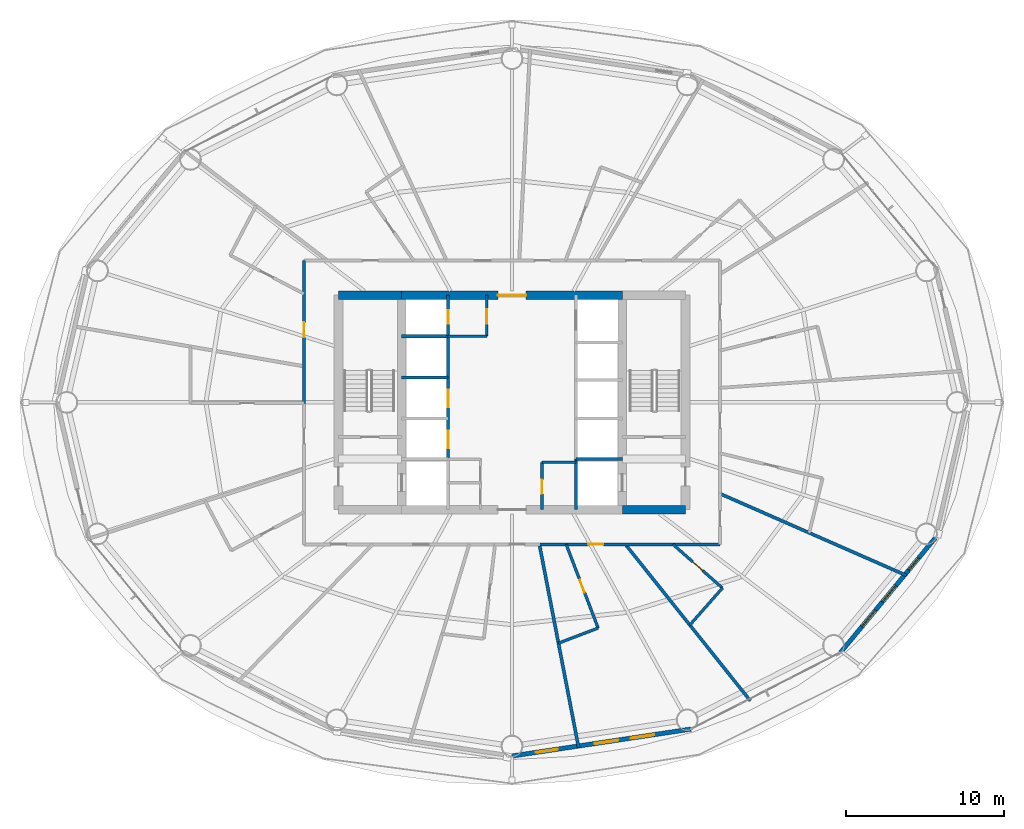
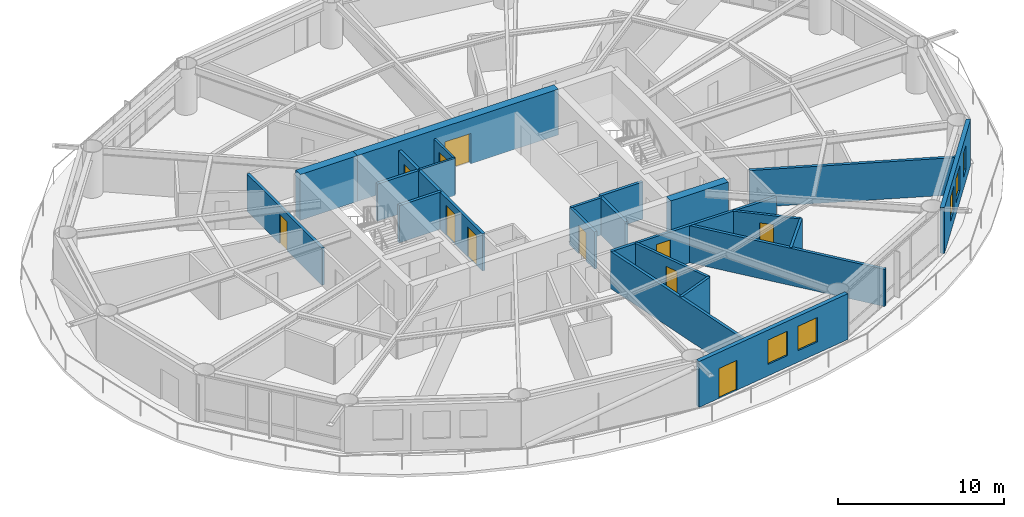
# One storey, part 19 of 24: 24 walls, 11 doors, 5 windows, 16 openings.
"""IFC4 building model written with IfcOpenShell, lengths in metres."""

import ifcopenshell
import ifcopenshell.guid

model = None  # the IFC model being written
_history = None  # IfcOwnerHistory: only IFC2X3 demands one
_inside = {}  # id of a spatial element -> (the spatial element, [elements in it])
_under = {}  # id of a project, library or spatial element -> (it, [spatial elements below it])
_declared = {}  # id of a project -> (the project, [libraries it declares])
_typed = {}  # id of a type object -> (the type object, [elements of that type])
_made_of = {}  # id of a material, layer set ... -> (it, [elements and type objects made of it])


def new_model(schema):
    """Start an empty IFC model of exactly this schema.

    Asked for "IFC4X3", IfcOpenShell would pick the latest addendum, in which some entities
    have other attributes; the version numbers below select the first issue.
    IFC2X3 requires an IfcOwnerHistory on every rooted entity: one is made here for all.
    """
    global model, _history
    if schema == "IFC4X3":
        model = ifcopenshell.file(schema_version=(4, 3, 0, 0))
    else:
        model = ifcopenshell.file(schema=schema)
    _inside.clear()
    _under.clear()
    _declared.clear()
    _typed.clear()
    _made_of.clear()
    _history = None
    if model.schema == "IFC2X3":
        org = make("IfcOrganization", Name="unknown")
        user = make(
            "IfcPersonAndOrganization",
            ThePerson=make("IfcPerson", FamilyName="unknown"),
            TheOrganization=org,
        )
        app = make(
            "IfcApplication",
            ApplicationDeveloper=org,
            Version="unknown",
            ApplicationFullName="unknown",
            ApplicationIdentifier="unknown",
        )
        _history = make(
            "IfcOwnerHistory",
            OwningUser=user,
            OwningApplication=app,
            ChangeAction="ADDED",
            CreationDate=0,
        )
    return model


def make(cls, **values):
    """One entity of the class cls with the attributes given. An attribute that is None is left unset."""
    return model.create_entity(
        cls, **{name: value for name, value in values.items() if value is not None}
    )


def rooted(cls, **values):
    """An entity with a GlobalId (a new one), such as an element, a storey or a relation."""
    return make(cls, GlobalId=ifcopenshell.guid.new(), OwnerHistory=_history, **values)


def si_unit(unit_type, name, prefix=None):
    """IfcSIUnit, for example si_unit("LENGTHUNIT", "METRE", prefix="MILLI")."""
    return make("IfcSIUnit", UnitType=unit_type, Prefix=prefix, Name=name)


def assignment(units):
    """IfcUnitAssignment: the units of a project."""
    return None if units is None else make("IfcUnitAssignment", Units=units)


def point(xyz):
    """IfcCartesianPoint."""
    return None if xyz is None else make("IfcCartesianPoint", Coordinates=xyz)


def direction(xyz):
    """IfcDirection."""
    return None if xyz is None else make("IfcDirection", DirectionRatios=xyz)


def frame(location, z_axis=None, x_axis=None):
    """IfcAxis2Placement3D, a coordinate frame: its origin and axes. An axis left out is left unset."""
    return make(
        "IfcAxis2Placement3D",
        Location=point(location),
        Axis=direction(z_axis),
        RefDirection=direction(x_axis),
    )


def frame_2d(location, x_axis=None):
    """IfcAxis2Placement2D, a coordinate frame in the plane: its origin and x axis."""
    return make(
        "IfcAxis2Placement2D", Location=point(location), RefDirection=direction(x_axis)
    )


def origin():
    """The frame at (0, 0, 0) with its axes left unset."""
    return frame((0.0, 0.0, 0.0))


def place(relative_to, where):
    """IfcLocalPlacement: puts the frame where relative to a parent placement (None: the world)."""
    return make(
        "IfcLocalPlacement", PlacementRelTo=relative_to, RelativePlacement=where
    )


def context(
    kind, dimensions, precision=None, world=None, true_north=None, identifier=None
):
    """IfcGeometricRepresentationContext, for example the 3D "Model" context."""
    return make(
        "IfcGeometricRepresentationContext",
        ContextIdentifier=identifier,
        ContextType=kind,
        CoordinateSpaceDimension=dimensions,
        Precision=precision,
        WorldCoordinateSystem=world,
        TrueNorth=true_north,
    )


def subcontext(parent, identifier, kind, view, scale=None):
    """IfcGeometricRepresentationSubContext, for example "Body" below "Model"."""
    return make(
        "IfcGeometricRepresentationSubContext",
        ContextIdentifier=identifier,
        ContextType=kind,
        ParentContext=parent,
        TargetScale=scale,
        TargetView=view,
    )


def project(units=None, contexts=None):
    """IfcProject with its units and contexts."""
    return rooted(
        "IfcProject",
        Name="project",
        RepresentationContexts=contexts,
        UnitsInContext=assignment(units),
    )


def spatial(cls, under=None, at=None, **own):
    """A site, building, storey or space (cls), placed at a placement, below another one or the project."""
    s = rooted(cls, ObjectPlacement=at, **own)
    if under is not None:
        _under.setdefault(under.id(), (under, []))[1].append(s)
    return s


def profile(cls, at=None, kind="AREA", **sizes):
    """A parametric profile (cls). Its sizes go by their IFC names, for example OverallWidth=200.0."""
    return make(cls, ProfileType=kind, Position=at, **sizes)


def rectangle(**sizes):
    """IfcRectangleProfileDef."""
    return profile("IfcRectangleProfileDef", **sizes)


def extrude(swept, where, along, depth):
    """IfcExtrudedAreaSolid: the profile swept, set in the frame where, extruded along a direction by depth."""
    return make(
        "IfcExtrudedAreaSolid",
        SweptArea=swept,
        Position=where,
        ExtrudedDirection=direction(along),
        Depth=depth,
    )


def shape(context_of_items, identifier, shape_type, items):
    """IfcShapeRepresentation: the items that make up one representation, for example the "Body"."""
    return make(
        "IfcShapeRepresentation",
        ContextOfItems=context_of_items,
        RepresentationIdentifier=identifier,
        RepresentationType=shape_type,
        Items=items,
    )


def material(Name=None, Category=None):
    """IfcMaterial."""
    return make("IfcMaterial", Name=Name, Category=Category)


def layer(
    of_material, thickness, ventilated=None, Name=None, Category=None, Priority=None
):
    """IfcMaterialLayer: one layer of a wall or slab, of a material (None: an air gap)."""
    return make(
        "IfcMaterialLayer",
        Material=of_material,
        LayerThickness=thickness,
        IsVentilated=ventilated,
        Name=Name,
        Category=Category,
        Priority=Priority,
    )


def layer_set(layers, Name=None):
    """IfcMaterialLayerSet."""
    return make("IfcMaterialLayerSet", MaterialLayers=layers, LayerSetName=Name)


def made_of(thing, what):
    """Note that an element or type object is made of a material, layer set ...; save() writes the relation."""
    if what is not None:
        _made_of.setdefault(what.id(), (what, []))[1].append(thing)
    return thing


def type_object(cls, material=None, **own):
    """A type object (cls), such as IfcWallType, which elements share."""
    return made_of(rooted(cls, **own), material)


def element(
    cls,
    number,
    at=None,
    inside=None,
    cuts=None,
    type_object=None,
    material=None,
    context=None,
    identifier="Body",
    shape_type=None,
    held_by="IfcProductDefinitionShape",
    body=None,
    shapes=None,
    **own,
):
    """One element of the class cls, such as IfcWall. Its Tag is "e" and its number.

    at: its placement. inside: the storey or other place that contains it. cuts: it is an
    opening in that element (IfcRelVoidsElement). A single representation is given by context,
    identifier, shape_type and body (its items); several are given by shapes. held_by: the class
    of the entity that holds the representations. save() writes the other relations.
    """
    e = rooted(cls, Tag="e%d" % number, ObjectPlacement=at, **own)
    if body is not None:
        shapes = [shape(context, identifier, shape_type, body)]
    if shapes is not None:
        e.Representation = make(held_by, Representations=shapes)
    if inside is not None:
        _inside.setdefault(inside.id(), (inside, []))[1].append(e)
    if cuts is not None:
        rooted(
            "IfcRelVoidsElement", RelatingBuildingElement=cuts, RelatedOpeningElement=e
        )
    if type_object is not None:
        _typed.setdefault(type_object.id(), (type_object, []))[1].append(e)
    return made_of(e, material)


def fill(opening, filler):
    """IfcRelFillsElement: the door or window that sits in an opening."""
    return rooted(
        "IfcRelFillsElement",
        RelatingOpeningElement=opening,
        RelatedBuildingElement=filler,
    )


def aggregate(whole, parts):
    """IfcRelAggregates: a whole, such as a stair, and the parts it consists of."""
    return rooted("IfcRelAggregates", RelatingObject=whole, RelatedObjects=parts)


def save(model, path):
    """Write the relations noted so far, then the file.

    IfcRelAggregates (storeys below a building ...), IfcRelContainedInSpatialStructure (elements
    in a storey), IfcRelDefinesByType, IfcRelAssociatesMaterial and IfcRelDeclares: one each for
    every whole, place, type object, material and project.
    """
    for whole, parts in _under.values():
        aggregate(whole, parts)
    for where, things in _inside.values():
        rooted(
            "IfcRelContainedInSpatialStructure",
            RelatedElements=things,
            RelatingStructure=where,
        )
    for kind, things in _typed.values():
        rooted("IfcRelDefinesByType", RelatedObjects=things, RelatingType=kind)
    for what, things in _made_of.values():
        rooted("IfcRelAssociatesMaterial", RelatedObjects=things, RelatingMaterial=what)
    for by, libraries in _declared.values():
        rooted("IfcRelDeclares", RelatingContext=by, RelatedDefinitions=libraries)
    model.write(path)


model = new_model("IFC4")

# Units and contexts
model_context = context("Model", 3, precision=1e-05, world=origin(), true_north=direction((0.0, 1.0)))
body_context = subcontext(model_context, "Body", "Model", "MODEL_VIEW")
ifc_project = project(units=[si_unit("LENGTHUNIT", "METRE"), si_unit("AREAUNIT", "SQUARE_METRE"), si_unit("VOLUMEUNIT", "CUBIC_METRE"), si_unit("PLANEANGLEUNIT", "RADIAN"), si_unit("MASSUNIT", "GRAM", prefix="KILO")], contexts=[model_context])

# Site, building, storey
site_placement = place(None, origin())
site = spatial("IfcSite", under=ifc_project, at=site_placement, CompositionType="ELEMENT")
building_placement = place(site_placement, origin())
building = spatial("IfcBuilding", under=site, at=building_placement, Name="Sarneth Arch Tower", CompositionType="ELEMENT")
storey_placement = place(building_placement, frame((0.0, 0.0, 91.199951171875)))
storey = spatial("IfcBuildingStorey", under=building, at=storey_placement, Name="L22", CompositionType="ELEMENT", Elevation=91.199951171875)

# Walls
ifc_material_1 = material(Name="Concrete C60/75", Category="concrete")
ifc_layer_1 = layer(ifc_material_1, 0.550048828125)
ifc_layer_set_1 = layer_set([ifc_layer_1], Name="Concrete C60/75")
wall_type_1 = type_object("IfcWallType", Name="WALL-CORE-550", PredefinedType="SHEAR", material=ifc_layer_set_1)
for number, where, z_axis, x_axis, name in (
    (1, (55.0, 35.199951171875, 0.0), (0.0, 0.0, 1.0), (1.0, 0.0, 0.0), "L22 Core shear wall S-E"),
    (2, (37.0, 48.800048828125, 0.0), (0.0, 0.0, 1.0), (1.0, 0.0, 0.0), "L22 Core shear wall N-W"),
):
    element("IfcWall", number, at=place(storey_placement, frame(where, z_axis=z_axis, x_axis=x_axis)), inside=storey, type_object=wall_type_1, Name=name, PredefinedType="SHEAR", context=body_context, shape_type="SweptSolid", body=[
        extrude(rectangle(XDim=4.0, YDim=0.550048828125, at=frame_2d((2.0, 0.0))), origin(), (0.0, 0.0, 1.0), 3.380126953125),
    ])

# Wall, opening, door
wall_1_placement = place(storey_placement, frame((41.0, 48.800048828125, 0.0), z_axis=(0.0, 0.0, 1.0), x_axis=(1.0, 0.0, 0.0)))
wall_1 = element("IfcWall", 3, at=wall_1_placement, inside=storey, type_object=wall_type_1, Name="L22 Core shear wall N-M", PredefinedType="SHEAR", context=body_context, shape_type="SweptSolid", body=[
    extrude(rectangle(XDim=14.0, YDim=0.550048828125, at=frame_2d((7.0, 0.0))), origin(), (0.0, 0.0, 1.0), 3.380126953125),
])
opening_1_placement = place(wall_1_placement, frame((6.10009765625, 0.0, 0.0)))
opening_1 = element("IfcOpeningElement", 4, at=opening_1_placement, cuts=wall_1, Name="Opening FD-01", PredefinedType="OPENING", context=body_context, shape_type="SweptSolid", body=[
    extrude(rectangle(XDim=1.800048828125, YDim=2.25, at=frame_2d((0.89990234375, 1.125))), frame((0.0, 0.284912109375, 0.0), z_axis=(0.0, -1.0, 0.0), x_axis=(1.0, 0.0, 0.0)), (0.0, 0.0, 1.0), 0.570068359375),
])
ifc_material_2 = material(Name="Galvanised Steel S275 fire door set", Category="steel")
door_type_1 = type_object("IfcDoorType", Name="DR-FD90-1800", OperationType="DOUBLE_DOOR_SINGLE_SWING", PredefinedType="DOOR", material=ifc_material_2)
door_1_placement = place(opening_1_placement, origin())
door_1 = element("IfcDoor", 5, at=door_1_placement, inside=storey, type_object=door_type_1, Name="L22 Central lift lobby north door", OperationType="DOUBLE_DOOR_SINGLE_SWING", OverallHeight=2.25, OverallWidth=1.800048828125, PredefinedType="DOOR", context=body_context, shape_type="SweptSolid", body=[
    extrude(rectangle(XDim=1.800048828125, YDim=2.25, at=frame_2d((0.89990234375, 1.125))), frame((0.0, 0.02490234375, 0.0), z_axis=(0.0, -1.0, 0.0), x_axis=(1.0, 0.0, 0.0)), (0.0, 0.0, 1.0), 0.050048828125),
])
fill(opening_1, door_1)

ifc_material_3 = material(Name="Double steel-stud corridor fire wall", Category="steel")
ifc_layer_2 = layer(ifc_material_3, 0.18994140625)
ifc_layer_set_2 = layer_set([ifc_layer_2], Name="Double steel-stud corridor fire wall")
wall_type_2 = type_object("IfcWallType", Name="WALL-CORR-190", PredefinedType="PARTITIONING", material=ifc_layer_set_2)
wall_2_placement = place(storey_placement, frame((34.800048828125, 41.939697265625, 0.0), z_axis=(0.0, 0.0, 1.0), x_axis=(0.0, 1.0, 0.0)))
wall_2 = element("IfcWall", 6, at=wall_2_placement, inside=storey, type_object=wall_type_2, Name="L22 Interior partition W-L22-TP-011", PredefinedType="PARTITIONING", context=body_context, shape_type="SweptSolid", body=[
    extrude(rectangle(XDim=9.060302734375, YDim=0.18994140625, at=frame_2d((4.5302734375, 0.0))), origin(), (0.0, 0.0, 1.0), 2.739990234375),
])
opening_2_placement = place(wall_2_placement, frame((4.1787109375, 0.0, 0.0)))
opening_2 = element("IfcOpeningElement", 7, at=opening_2_placement, cuts=wall_2, Name="Opening FD-09", PredefinedType="OPENING", context=body_context, shape_type="SweptSolid", body=[
    extrude(rectangle(XDim=0.949951171875, YDim=2.14990234375, at=frame_2d((0.47509765625, 1.074951171875))), frame((0.0, 0.10498046875, 0.0), z_axis=(0.0, -1.0, 0.0), x_axis=(1.0, 0.0, 0.0)), (0.0, 0.0, 1.0), 0.2099609375),
])
ifc_material_4 = material(Name="Hardwood timber hotel entrance fire door", Category="wood")
door_type_2 = type_object("IfcDoorType", Name="DR-FD60-950", OperationType="SINGLE_SWING_RIGHT", PredefinedType="DOOR", material=ifc_material_4)
door_2_placement = place(opening_2_placement, origin())
door_2 = element("IfcDoor", 8, at=door_2_placement, inside=storey, type_object=door_type_2, Name="L22 Interior door DR-L22-KEY-06", OperationType="SINGLE_SWING_LEFT", OverallHeight=2.14990234375, OverallWidth=0.949951171875, PredefinedType="DOOR", context=body_context, shape_type="SweptSolid", body=[
    extrude(rectangle(XDim=0.949951171875, YDim=2.14990234375, at=frame_2d((0.47509765625, 1.074951171875))), frame((0.0, 0.02490234375, 0.0), z_axis=(0.0, -1.0, 0.0), x_axis=(1.0, 0.0, 0.0)), (0.0, 0.0, 1.0), 0.050048828125),
])
fill(opening_2, door_2)

wall_3_placement = place(storey_placement, frame((61.199951171875, 33.0, 0.0), z_axis=(0.0, 0.0, 1.0), x_axis=(-1.0, 0.0, 0.0)))
wall_3 = element("IfcWall", 9, at=wall_3_placement, inside=storey, type_object=wall_type_2, Name="L22 Interior partition W-L22-TP-022", PredefinedType="PARTITIONING", context=body_context, shape_type="SweptSolid", body=[
    extrude(rectangle(XDim=11.49560546875, YDim=0.18994140625, at=frame_2d((5.747802734375, 0.0))), origin(), (0.0, 0.0, 1.0), 2.739990234375),
])
opening_3_placement = place(wall_3_placement, frame((7.40966796875, 0.0, 0.0)))
opening_3 = element("IfcOpeningElement", 10, at=opening_3_placement, cuts=wall_3, Name="Opening FD-09", PredefinedType="OPENING", context=body_context, shape_type="SweptSolid", body=[
    extrude(rectangle(XDim=0.949951171875, YDim=2.14990234375, at=frame_2d((0.47509765625, 1.074951171875))), frame((0.0, 0.10498046875, 0.0), z_axis=(0.0, -1.0, 0.0), x_axis=(1.0, 0.0, 0.0)), (0.0, 0.0, 1.0), 0.2099609375),
])
door_3_placement = place(opening_3_placement, origin())
door_3 = element("IfcDoor", 11, at=door_3_placement, inside=storey, type_object=door_type_2, Name="L22 Interior door DR-L22-KEY-11", OperationType="SINGLE_SWING_RIGHT", OverallHeight=2.14990234375, OverallWidth=0.949951171875, PredefinedType="DOOR", context=body_context, shape_type="SweptSolid", body=[
    extrude(rectangle(XDim=0.949951171875, YDim=2.14990234375, at=frame_2d((0.47509765625, 1.074951171875))), frame((0.0, 0.02490234375, 0.0), z_axis=(0.0, -1.0, 0.0), x_axis=(1.0, 0.0, 0.0)), (0.0, 0.0, 1.0), 0.050048828125),
])
fill(opening_3, door_3)

# Wall, openings, door, windows
ifc_material_5 = material(Name="Extruded terracotta rainscreen on Concrete C40/50 backing", Category="masonry")
ifc_layer_3 = layer(ifc_material_5, 0.280029296875)
ifc_layer_set_3 = layer_set([ifc_layer_3], Name="Extruded terracotta rainscreen on Concrete C40/50 backing")
wall_type_3 = type_object("IfcWallType", Name="WALL-EXT-TERRA-280", PredefinedType="SOLIDWALL", material=ifc_layer_set_3)
wall_4_placement = place(storey_placement, frame((48.0, 19.570068359375, 0.0), z_axis=(0.0, 0.0, 1.0), x_axis=(0.988877774656, 0.148730450117, 0.0)))
wall_4 = element("IfcWall", 12, at=wall_4_placement, inside=storey, type_object=wall_type_3, Name="L22 Terracotta perimeter wall 13", PredefinedType="SOLIDWALL", context=body_context, shape_type="SweptSolid", body=[
    extrude(rectangle(XDim=11.47900390625, YDim=0.280029296875, at=frame_2d((5.739501953125, 0.0))), origin(), (0.0, 0.0, 1.0), 3.380126953125),
])
opening_4_placement = place(wall_4_placement, frame((1.523681640625, 0.0, 0.0)))
opening_4 = element("IfcOpeningElement", 13, at=opening_4_placement, cuts=wall_4, Name="Opening BD-2", PredefinedType="OPENING", context=body_context, shape_type="SweptSolid", body=[
    extrude(rectangle(XDim=1.39990234375, YDim=2.199951171875, at=frame_2d((0.699951171875, 1.10009765625))), frame((0.0, 0.14990234375, 0.0), z_axis=(0.0, -1.0, 0.0), x_axis=(1.0, 0.0, 0.0)), (0.0, 0.0, 1.0), 0.300048828125),
])
opening_5_placement = place(wall_4_placement, frame((5.31494140625, 0.0, 0.85009765625)))
opening_5 = element("IfcOpeningElement", 14, at=opening_5_placement, cuts=wall_4, Name="Opening W-07", PredefinedType="OPENING", context=body_context, shape_type="SweptSolid", body=[
    extrude(rectangle(XDim=1.5, YDim=1.800048828125, at=frame_2d((0.75, 0.89990234375))), frame((0.0, 0.14990234375, 0.0), z_axis=(0.0, -1.0, 0.0), x_axis=(1.0, 0.0, 0.0)), (0.0, 0.0, 1.0), 0.300048828125),
])
opening_6_placement = place(wall_4_placement, frame((7.62109375, 0.0, 0.85009765625)))
opening_6 = element("IfcOpeningElement", 15, at=opening_6_placement, cuts=wall_4, Name="Opening W-07", PredefinedType="OPENING", context=body_context, shape_type="SweptSolid", body=[
    extrude(rectangle(XDim=1.5, YDim=1.800048828125, at=frame_2d((0.75, 0.89990234375))), frame((0.0, 0.14990234375, 0.0), z_axis=(0.0, -1.0, 0.0), x_axis=(1.0, 0.0, 0.0)), (0.0, 0.0, 1.0), 0.300048828125),
])
ifc_material_6 = material(Name="Thermally broken Aluminium 6063-T6 and laminated safety glass", Category="aluminium")
door_type_3 = type_object("IfcDoorType", Name="DR-BALC-GLZ-1400", OperationType="SINGLE_SWING_LEFT", PredefinedType="DOOR", material=ifc_material_6)
door_4_placement = place(opening_4_placement, origin())
door_4 = element("IfcDoor", 16, at=door_4_placement, inside=storey, type_object=door_type_3, Name="L22 Balcony glazed door 13", OperationType="SINGLE_SWING_LEFT", OverallHeight=2.199951171875, OverallWidth=1.39990234375, PredefinedType="DOOR", context=body_context, shape_type="SweptSolid", body=[
    extrude(rectangle(XDim=1.39990234375, YDim=2.199951171875, at=frame_2d((0.699951171875, 1.10009765625))), frame((0.0, 0.02490234375, 0.0), z_axis=(0.0, -1.0, 0.0), x_axis=(1.0, 0.0, 0.0)), (0.0, 0.0, 1.0), 0.050048828125),
])
fill(opening_4, door_4)
ifc_material_7 = material(Name="Thermally broken Aluminium 6063-T6 and low-e laminated IGU", Category="aluminium")
window_type_1 = type_object("IfcWindowType", Name="WIN-TWR-1500x1800", PartitioningType="SINGLE_PANEL", PredefinedType="WINDOW", material=ifc_material_7)
window_1_placement = place(opening_5_placement, origin())
window_1 = element("IfcWindow", 17, at=window_1_placement, inside=storey, type_object=window_type_1, Name="L22 Exterior window 13A", OverallHeight=1.800048828125, OverallWidth=1.5, PartitioningType="SINGLE_PANEL", PredefinedType="WINDOW", context=body_context, shape_type="SweptSolid", body=[
    extrude(rectangle(XDim=1.5, YDim=1.800048828125, at=frame_2d((0.75, 0.89990234375))), frame((0.0, 0.030029296875, 0.0), z_axis=(0.0, -1.0, 0.0), x_axis=(1.0, 0.0, 0.0)), (0.0, 0.0, 1.0), 0.06005859375),
])
fill(opening_5, window_1)
window_2_placement = place(opening_6_placement, origin())
window_2 = element("IfcWindow", 18, at=window_2_placement, inside=storey, type_object=window_type_1, Name="L22 Exterior window 13B", OverallHeight=1.800048828125, OverallWidth=1.5, PartitioningType="SINGLE_PANEL", PredefinedType="WINDOW", context=body_context, shape_type="SweptSolid", body=[
    extrude(rectangle(XDim=1.5, YDim=1.800048828125, at=frame_2d((0.75, 0.89990234375))), frame((0.0, 0.030029296875, 0.0), z_axis=(0.0, -1.0, 0.0), x_axis=(1.0, 0.0, 0.0)), (0.0, 0.0, 1.0), 0.06005859375),
])
fill(opening_6, window_2)

# Wall, openings, windows
wall_5_placement = place(storey_placement, frame((68.840087890625, 26.1396484375, 0.0), z_axis=(0.0, 0.0, 1.0), x_axis=(0.637505817448, 0.770445541696, 0.0)))
wall_5 = element("IfcWall", 19, at=wall_5_placement, inside=storey, type_object=wall_type_3, Name="L22 Terracotta perimeter wall 15", PredefinedType="SOLIDWALL", context=body_context, shape_type="SweptSolid", body=[
    extrude(rectangle(XDim=9.445068359375, YDim=0.280029296875, at=frame_2d((4.72265625, 0.0))), origin(), (0.0, 0.0, 1.0), 3.380126953125),
])
opening_7_placement = place(wall_5_placement, frame((2.13330078125, 0.0, 0.85009765625)))
opening_7 = element("IfcOpeningElement", 20, at=opening_7_placement, cuts=wall_5, Name="Opening W-08", PredefinedType="OPENING", context=body_context, shape_type="SweptSolid", body=[
    extrude(rectangle(XDim=1.35009765625, YDim=1.800048828125, at=frame_2d((0.675048828125, 0.89990234375))), frame((0.0, 0.14990234375, 0.0), z_axis=(0.0, -1.0, 0.0), x_axis=(1.0, 0.0, 0.0)), (0.0, 0.0, 1.0), 0.300048828125),
])
opening_8_placement = place(wall_5_placement, frame((4.155517578125, 0.0, 0.85009765625)))
opening_8 = element("IfcOpeningElement", 21, at=opening_8_placement, cuts=wall_5, Name="Opening W-08", PredefinedType="OPENING", context=body_context, shape_type="SweptSolid", body=[
    extrude(rectangle(XDim=1.35009765625, YDim=1.800048828125, at=frame_2d((0.675048828125, 0.89990234375))), frame((0.0, 0.14990234375, 0.0), z_axis=(0.0, -1.0, 0.0), x_axis=(1.0, 0.0, 0.0)), (0.0, 0.0, 1.0), 0.300048828125),
])
opening_9_placement = place(wall_5_placement, frame((6.7724609375, 0.0, 0.85009765625)))
opening_9 = element("IfcOpeningElement", 22, at=opening_9_placement, cuts=wall_5, Name="Opening W-11", PredefinedType="OPENING", context=body_context, shape_type="SweptSolid", body=[
    extrude(rectangle(XDim=1.0, YDim=1.800048828125, at=frame_2d((0.5, 0.89990234375))), frame((0.0, 0.14990234375, 0.0), z_axis=(0.0, -1.0, 0.0), x_axis=(1.0, 0.0, 0.0)), (0.0, 0.0, 1.0), 0.300048828125),
])
ifc_material_8 = material(Name="Thermally broken Aluminium 6063-T6 and low-e laminated IGU", Category="aluminium")
window_type_2 = type_object("IfcWindowType", Name="WIN-TWR-1000x1800", PartitioningType="SINGLE_PANEL", PredefinedType="WINDOW", material=ifc_material_8)
window_3_placement = place(opening_9_placement, origin())
window_3 = element("IfcWindow", 23, at=window_3_placement, inside=storey, type_object=window_type_2, Name="L22 Exterior window 15C", OverallHeight=1.800048828125, OverallWidth=1.0, PartitioningType="SINGLE_PANEL", PredefinedType="WINDOW", context=body_context, shape_type="SweptSolid", body=[
    extrude(rectangle(XDim=1.0, YDim=1.800048828125, at=frame_2d((0.5, 0.89990234375))), frame((0.0, 0.030029296875, 0.0), z_axis=(0.0, -1.0, 0.0), x_axis=(1.0, 0.0, 0.0)), (0.0, 0.0, 1.0), 0.06005859375),
])
fill(opening_9, window_3)
ifc_material_9 = material(Name="Thermally broken Aluminium 6063-T6 and low-e laminated IGU", Category="aluminium")
window_type_3 = type_object("IfcWindowType", Name="WIN-TWR-1350x1800", PartitioningType="SINGLE_PANEL", PredefinedType="WINDOW", material=ifc_material_9)
window_4_placement = place(opening_7_placement, origin())
window_4 = element("IfcWindow", 24, at=window_4_placement, inside=storey, type_object=window_type_3, Name="L22 Exterior window 15A", OverallHeight=1.800048828125, OverallWidth=1.35009765625, PartitioningType="SINGLE_PANEL", PredefinedType="WINDOW", context=body_context, shape_type="SweptSolid", body=[
    extrude(rectangle(XDim=1.35009765625, YDim=1.800048828125, at=frame_2d((0.675048828125, 0.89990234375))), frame((0.0, 0.030029296875, 0.0), z_axis=(0.0, -1.0, 0.0), x_axis=(1.0, 0.0, 0.0)), (0.0, 0.0, 1.0), 0.06005859375),
])
fill(opening_7, window_4)
window_5_placement = place(opening_8_placement, origin())
window_5 = element("IfcWindow", 25, at=window_5_placement, inside=storey, type_object=window_type_3, Name="L22 Exterior window 15B", OverallHeight=1.800048828125, OverallWidth=1.35009765625, PartitioningType="SINGLE_PANEL", PredefinedType="WINDOW", context=body_context, shape_type="SweptSolid", body=[
    extrude(rectangle(XDim=1.35009765625, YDim=1.800048828125, at=frame_2d((0.675048828125, 0.89990234375))), frame((0.0, 0.030029296875, 0.0), z_axis=(0.0, -1.0, 0.0), x_axis=(1.0, 0.0, 0.0)), (0.0, 0.0, 1.0), 0.06005859375),
])
fill(opening_8, window_5)

# Wall
ifc_material_10 = material(Name="Acoustic gypsum stud partition", Category="gypsum")
ifc_layer_4 = layer(ifc_material_10, 0.14990234375)
ifc_layer_set_4 = layer_set([ifc_layer_4], Name="Acoustic gypsum stud partition")
wall_type_4 = type_object("IfcWallType", Name="WALL-PART-150", PredefinedType="PARTITIONING", material=ifc_layer_set_4)
wall_6_placement = place(storey_placement, frame((43.949951171875, 46.199951171875, 0.0), z_axis=(0.0, 0.0, 1.0), x_axis=(1.0, 0.0, 0.0)))
element("IfcWall", 26, at=wall_6_placement, inside=storey, type_object=wall_type_4, Name="L22 Interior partition W-L22-CSUP3-S", PredefinedType="PARTITIONING", context=body_context, shape_type="SweptSolid", body=[
    extrude(rectangle(XDim=2.449951171875, YDim=0.14990234375, at=frame_2d((1.22509765625, 0.0))), origin(), (0.0, 0.0, 1.0), 2.739990234375),
])

# Wall, opening, door
wall_7_placement = place(storey_placement, frame((46.39990234375, 46.199951171875, 0.0), z_axis=(0.0, 0.0, 1.0), x_axis=(0.0, 1.0, 0.0)))
wall_7 = element("IfcWall", 27, at=wall_7_placement, inside=storey, type_object=wall_type_4, Name="L22 Interior partition W-L22-CSUP3-E", PredefinedType="PARTITIONING", context=body_context, shape_type="SweptSolid", body=[
    extrude(rectangle(XDim=2.60009765625, YDim=0.14990234375, at=frame_2d((1.300048828125, 0.0))), origin(), (0.0, 0.0, 1.0), 2.739990234375),
])
opening_10_placement = place(wall_7_placement, frame((0.800048828125, 0.0, 0.0)))
opening_10 = element("IfcOpeningElement", 28, at=opening_10_placement, cuts=wall_7, Name="Opening FD-10", PredefinedType="OPENING", context=body_context, shape_type="SweptSolid", body=[
    extrude(rectangle(XDim=0.89990234375, YDim=2.14990234375, at=frame_2d((0.449951171875, 1.074951171875))), frame((0.0, 0.0849609375, 0.0), z_axis=(0.0, -1.0, 0.0), x_axis=(1.0, 0.0, 0.0)), (0.0, 0.0, 1.0), 0.169921875),
])
ifc_material_11 = material(Name="Galvanised Steel S275 riser/service fire door", Category="steel")
door_type_4 = type_object("IfcDoorType", Name="DR-FD60-900", OperationType="SINGLE_SWING_LEFT", PredefinedType="DOOR", material=ifc_material_11)
door_5_placement = place(opening_10_placement, origin())
door_5 = element("IfcDoor", 29, at=door_5_placement, inside=storey, type_object=door_type_4, Name="L22 Interior door DR-L22-CSUP3", OperationType="SINGLE_SWING_LEFT", OverallHeight=2.14990234375, OverallWidth=0.89990234375, PredefinedType="DOOR", context=body_context, shape_type="SweptSolid", body=[
    extrude(rectangle(XDim=0.89990234375, YDim=2.14990234375, at=frame_2d((0.449951171875, 1.074951171875))), frame((0.0, 0.02490234375, 0.0), z_axis=(0.0, -1.0, 0.0), x_axis=(1.0, 0.0, 0.0)), (0.0, 0.0, 1.0), 0.050048828125),
])
fill(opening_10, door_5)

# Wall
ifc_material_12 = material(Name="Moisture-resistant plumbing chase wall", Category="gypsum")
ifc_layer_5 = layer(ifc_material_12, 0.179931640625)
ifc_layer_set_5 = layer_set([ifc_layer_5], Name="Moisture-resistant plumbing chase wall")
wall_type_5 = type_object("IfcWallType", Name="WALL-PLUMB-180", PredefinedType="PLUMBINGWALL", material=ifc_layer_set_5)
wall_8_placement = place(storey_placement, frame((49.89990234375, 38.199951171875, 0.0), z_axis=(0.0, 0.0, 1.0), x_axis=(1.0, 0.0, 0.0)))
element("IfcWall", 30, at=wall_8_placement, inside=storey, type_object=wall_type_5, Name="L22 Interior partition W-L22-AWC-N", PredefinedType="PLUMBINGWALL", context=body_context, shape_type="SweptSolid", body=[
    extrude(rectangle(XDim=2.150146484375, YDim=0.179931640625, at=frame_2d((1.0751953125, 0.0))), origin(), (0.0, 0.0, 1.0), 2.739990234375),
])

# Wall, opening, door
wall_9_placement = place(storey_placement, frame((49.89990234375, 35.199951171875, 0.0), z_axis=(0.0, 0.0, 1.0), x_axis=(0.0, 1.0, 0.0)))
wall_9 = element("IfcWall", 31, at=wall_9_placement, inside=storey, type_object=wall_type_5, Name="L22 Interior partition W-L22-AWC-W", PredefinedType="PLUMBINGWALL", context=body_context, shape_type="SweptSolid", body=[
    extrude(rectangle(XDim=3.0, YDim=0.179931640625, at=frame_2d((1.5, 0.0))), origin(), (0.0, 0.0, 1.0), 2.739990234375),
])
opening_11_placement = place(wall_9_placement, frame((1.0, 0.0, 0.0)))
opening_11 = element("IfcOpeningElement", 32, at=opening_11_placement, cuts=wall_9, Name="Opening ID-01", PredefinedType="OPENING", context=body_context, shape_type="SweptSolid", body=[
    extrude(rectangle(XDim=0.89990234375, YDim=2.10009765625, at=frame_2d((0.449951171875, 1.050048828125))), frame((0.0, 0.099853515625, 0.0), z_axis=(0.0, -1.0, 0.0), x_axis=(1.0, 0.0, 0.0)), (0.0, 0.0, 1.0), 0.199951171875),
])
ifc_material_13 = material(Name="Engineered hardwood flush door", Category="wood")
door_type_5 = type_object("IfcDoorType", Name="DR-INT-900", OperationType="SINGLE_SWING_LEFT", PredefinedType="DOOR", material=ifc_material_13)
door_6_placement = place(opening_11_placement, origin())
door_6 = element("IfcDoor", 33, at=door_6_placement, inside=storey, type_object=door_type_5, Name="L22 Interior door DR-L22-AWC", OperationType="SINGLE_SWING_RIGHT", OverallHeight=2.10009765625, OverallWidth=0.89990234375, PredefinedType="DOOR", context=body_context, shape_type="SweptSolid", body=[
    extrude(rectangle(XDim=0.89990234375, YDim=2.10009765625, at=frame_2d((0.449951171875, 1.050048828125))), frame((0.0, 0.02490234375, 0.0), z_axis=(0.0, -1.0, 0.0), x_axis=(1.0, 0.0, 0.0)), (0.0, 0.0, 1.0), 0.050048828125),
])
fill(opening_11, door_6)

wall_10_placement = place(storey_placement, frame((53.462890625, 27.68798828125, 0.0), z_axis=(0.0, 0.0, 1.0), x_axis=(-0.356604128264, 0.934255583716, 0.0)))
wall_10 = element("IfcWall", 34, at=wall_10_placement, inside=storey, type_object=wall_type_5, Name="L22 Interior partition W-L22-TP-066", PredefinedType="PLUMBINGWALL", context=body_context, shape_type="SweptSolid", body=[
    extrude(rectangle(XDim=5.685791015625, YDim=0.179931640625, at=frame_2d((2.8427734375, 0.0))), origin(), (0.0, 0.0, 1.0), 2.739990234375),
])
opening_12_placement = place(wall_10_placement, frame((2.41796875, 0.0, 0.0)))
opening_12 = element("IfcOpeningElement", 35, at=opening_12_placement, cuts=wall_10, Name="Opening ID-02", PredefinedType="OPENING", context=body_context, shape_type="SweptSolid", body=[
    extrude(rectangle(XDim=0.85009765625, YDim=2.10009765625, at=frame_2d((0.425048828125, 1.050048828125))), frame((0.0, 0.099853515625, 0.0), z_axis=(0.0, -1.0, 0.0), x_axis=(1.0, 0.0, 0.0)), (0.0, 0.0, 1.0), 0.199951171875),
])
ifc_material_14 = material(Name="Moisture-resistant bathroom timber door", Category="wood")
door_type_6 = type_object("IfcDoorType", Name="DR-INT-850", OperationType="SINGLE_SWING_RIGHT", PredefinedType="DOOR", material=ifc_material_14)
door_7_placement = place(opening_12_placement, origin())
door_7 = element("IfcDoor", 36, at=door_7_placement, inside=storey, type_object=door_type_6, Name="L22 Interior door DR-L22-ENS-11", OperationType="SINGLE_SWING_LEFT", OverallHeight=2.10009765625, OverallWidth=0.85009765625, PredefinedType="DOOR", context=body_context, shape_type="SweptSolid", body=[
    extrude(rectangle(XDim=0.85009765625, YDim=2.10009765625, at=frame_2d((0.425048828125, 1.050048828125))), frame((0.0, 0.02490234375, 0.0), z_axis=(0.0, -1.0, 0.0), x_axis=(1.0, 0.0, 0.0)), (0.0, 0.0, 1.0), 0.050048828125),
])
fill(opening_12, door_7)

wall_11_placement = place(storey_placement, frame((61.348388671875, 30.225341796875, 0.0), z_axis=(0.0, 0.0, 1.0), x_axis=(-0.749931272561, 0.661515749197, 0.0)))
wall_11 = element("IfcWall", 37, at=wall_11_placement, inside=storey, type_object=wall_type_5, Name="L22 Interior partition W-L22-TP-070", PredefinedType="PLUMBINGWALL", context=body_context, shape_type="SweptSolid", body=[
    extrude(rectangle(XDim=4.1943359375, YDim=0.179931640625, at=frame_2d((2.09716796875, 0.0))), origin(), (0.0, 0.0, 1.0), 2.739990234375),
])
opening_13_placement = place(wall_11_placement, frame((1.672119140625, 0.0, 0.0)))
opening_13 = element("IfcOpeningElement", 38, at=opening_13_placement, cuts=wall_11, Name="Opening ID-02", PredefinedType="OPENING", context=body_context, shape_type="SweptSolid", body=[
    extrude(rectangle(XDim=0.85009765625, YDim=2.10009765625, at=frame_2d((0.425048828125, 1.050048828125))), frame((0.0, 0.099853515625, 0.0), z_axis=(0.0, -1.0, 0.0), x_axis=(1.0, 0.0, 0.0)), (0.0, 0.0, 1.0), 0.199951171875),
])
door_8_placement = place(opening_13_placement, origin())
door_8 = element("IfcDoor", 39, at=door_8_placement, inside=storey, type_object=door_type_6, Name="L22 Interior door DR-L22-ENS-12", OperationType="SINGLE_SWING_LEFT", OverallHeight=2.10009765625, OverallWidth=0.85009765625, PredefinedType="DOOR", context=body_context, shape_type="SweptSolid", body=[
    extrude(rectangle(XDim=0.85009765625, YDim=2.10009765625, at=frame_2d((0.425048828125, 1.050048828125))), frame((0.0, 0.02490234375, 0.0), z_axis=(0.0, -1.0, 0.0), x_axis=(1.0, 0.0, 0.0)), (0.0, 0.0, 1.0), 0.050048828125),
])
fill(opening_13, door_8)

# Walls
wall_12_placement = place(storey_placement, frame((59.27880859375, 27.879150390625, 0.0), z_axis=(0.0, 0.0, 1.0), x_axis=(0.661515810511, 0.749931218475, 0.0)))
element("IfcWall", 40, at=wall_12_placement, inside=storey, type_object=wall_type_5, Name="L22 Interior partition W-L22-TP-069", PredefinedType="PLUMBINGWALL", context=body_context, shape_type="SweptSolid", body=[
    extrude(rectangle(XDim=3.128662109375, YDim=0.179931640625, at=frame_2d((1.564453125, 0.0))), origin(), (0.0, 0.0, 1.0), 2.739990234375),
])
wall_13_placement = place(storey_placement, frame((50.947509765625, 26.727783203125, 0.0), z_axis=(0.0, 0.0, 1.0), x_axis=(0.934244754769, 0.35663249738, 0.0)))
element("IfcWall", 41, at=wall_13_placement, inside=storey, type_object=wall_type_5, Name="L22 Interior partition W-L22-TP-065", PredefinedType="PLUMBINGWALL", context=body_context, shape_type="SweptSolid", body=[
    extrude(rectangle(XDim=2.6923828125, YDim=0.179931640625, at=frame_2d((1.34619140625, 0.0))), origin(), (0.0, 0.0, 1.0), 2.739990234375),
])
ifc_material_15 = material(Name="Aerated concrete blockwork C25/30", Category="masonry")
ifc_layer_6 = layer(ifc_material_15, 0.199951171875)
ifc_layer_set_6 = layer_set([ifc_layer_6], Name="Aerated concrete blockwork C25/30")
wall_type_6 = type_object("IfcWallType", Name="WALL-SHAFT-200", PredefinedType="SOLIDWALL", material=ifc_layer_set_6)
wall_14_placement = place(storey_placement, frame((52.050048828125, 35.199951171875, 0.0), z_axis=(0.0, 0.0, 1.0), x_axis=(0.0, 1.0, 0.0)))
element("IfcWall", 42, at=wall_14_placement, inside=storey, type_object=wall_type_6, Name="L22 Interior partition W-L22-FL2-W", PredefinedType="SOLIDWALL", context=body_context, shape_type="SweptSolid", body=[
    extrude(rectangle(XDim=3.199951171875, YDim=0.199951171875, at=frame_2d((1.60009765625, 0.0))), origin(), (0.0, 0.0, 1.0), 2.739990234375),
])
for number, where, z_axis, x_axis, name in (
    (43, (52.050048828125, 38.39990234375, 0.0), (0.0, 0.0, 1.0), (1.0, 0.0, 0.0), "L22 Interior partition W-L22-FL2-N"),
    (44, (41.0, 46.199951171875, 0.0), (0.0, 0.0, 1.0), (1.0, 0.0, 0.0), "L22 Interior partition W-L22-RISER-S"),
):
    element("IfcWall", number, at=place(storey_placement, frame(where, z_axis=z_axis, x_axis=x_axis)), inside=storey, type_object=wall_type_6, Name=name, PredefinedType="SOLIDWALL", context=body_context, shape_type="SweptSolid", body=[
        extrude(rectangle(XDim=2.949951171875, YDim=0.199951171875, at=frame_2d((1.47509765625, 0.0))), origin(), (0.0, 0.0, 1.0), 2.739990234375),
    ])

# Wall, opening, door
wall_15_placement = place(storey_placement, frame((43.949951171875, 46.199951171875, 0.0), z_axis=(0.0, 0.0, 1.0), x_axis=(0.0, 1.0, 0.0)))
wall_15 = element("IfcWall", 45, at=wall_15_placement, inside=storey, type_object=wall_type_6, Name="L22 Interior partition W-L22-RISER-E", PredefinedType="SOLIDWALL", context=body_context, shape_type="SweptSolid", body=[
    extrude(rectangle(XDim=2.60009765625, YDim=0.199951171875, at=frame_2d((1.300048828125, 0.0))), origin(), (0.0, 0.0, 1.0), 2.739990234375),
])
opening_14_placement = place(wall_15_placement, frame((0.800048828125, 0.0, 0.0)))
opening_14 = element("IfcOpeningElement", 46, at=opening_14_placement, cuts=wall_15, Name="Opening FD-11", PredefinedType="OPENING", context=body_context, shape_type="SweptSolid", body=[
    extrude(rectangle(XDim=0.85009765625, YDim=2.14990234375, at=frame_2d((0.425048828125, 1.074951171875))), frame((0.0, 0.10986328125, 0.0), z_axis=(0.0, -1.0, 0.0), x_axis=(1.0, 0.0, 0.0)), (0.0, 0.0, 1.0), 0.219970703125),
])
ifc_material_16 = material(Name="Galvanised Steel S275 closet fire door", Category="steel")
door_type_7 = type_object("IfcDoorType", Name="DR-FD60-850", OperationType="SINGLE_SWING_LEFT", PredefinedType="DOOR", material=ifc_material_16)
door_9_placement = place(opening_14_placement, origin())
door_9 = element("IfcDoor", 47, at=door_9_placement, inside=storey, type_object=door_type_7, Name="L22 Lift landing door DR-L22-RISER", OperationType="SINGLE_SWING_LEFT", OverallHeight=2.14990234375, OverallWidth=0.85009765625, PredefinedType="DOOR", context=body_context, shape_type="SweptSolid", body=[
    extrude(rectangle(XDim=0.85009765625, YDim=2.14990234375, at=frame_2d((0.425048828125, 1.074951171875))), frame((0.0, 0.02490234375, 0.0), z_axis=(0.0, -1.0, 0.0), x_axis=(1.0, 0.0, 0.0)), (0.0, 0.0, 1.0), 0.050048828125),
])
fill(opening_14, door_9)

# Wall, openings, doors
wall_16_placement = place(storey_placement, frame((43.949951171875, 38.39990234375, 0.0), z_axis=(0.0, 0.0, 1.0), x_axis=(0.0, 1.0, 0.0)))
wall_16 = element("IfcWall", 48, at=wall_16_placement, inside=storey, type_object=wall_type_6, Name="L22 Interior partition W-L22-WESTBANK-FRONT", PredefinedType="SOLIDWALL", context=body_context, shape_type="SweptSolid", body=[
    extrude(rectangle(XDim=7.800048828125, YDim=0.199951171875, at=frame_2d((3.89990234375, 0.0))), origin(), (0.0, 0.0, 1.0), 2.739990234375),
])
opening_15_placement = place(wall_16_placement, frame((0.699951171875, 0.0, 0.0)))
opening_15 = element("IfcOpeningElement", 49, at=opening_15_placement, cuts=wall_16, Name="Opening LD-1", PredefinedType="OPENING", context=body_context, shape_type="SweptSolid", body=[
    extrude(rectangle(XDim=1.10009765625, YDim=2.199951171875, at=frame_2d((0.550048828125, 1.10009765625))), frame((0.0, 0.10986328125, 0.0), z_axis=(0.0, -1.0, 0.0), x_axis=(1.0, 0.0, 0.0)), (0.0, 0.0, 1.0), 0.219970703125),
])
opening_16_placement = place(wall_16_placement, frame((3.300048828125, 0.0, 0.0)))
opening_16 = element("IfcOpeningElement", 50, at=opening_16_placement, cuts=wall_16, Name="Opening LD-1", PredefinedType="OPENING", context=body_context, shape_type="SweptSolid", body=[
    extrude(rectangle(XDim=1.10009765625, YDim=2.199951171875, at=frame_2d((0.550048828125, 1.10009765625))), frame((0.0, 0.10986328125, 0.0), z_axis=(0.0, -1.0, 0.0), x_axis=(1.0, 0.0, 0.0)), (0.0, 0.0, 1.0), 0.219970703125),
])
ifc_material_17 = material(Name="Brushed Stainless Steel 304 lift landing door", Category="steel")
door_type_8 = type_object("IfcDoorType", Name="DR-LIFT-SLIDE-1100", OperationType="SLIDING_TO_LEFT", PredefinedType="DOOR", material=ifc_material_17)
door_10_placement = place(opening_15_placement, origin())
door_10 = element("IfcDoor", 51, at=door_10_placement, inside=storey, type_object=door_type_8, Name="L22 Lift landing door DR-L22-LD-PL1", OperationType="SLIDING_TO_LEFT", OverallHeight=2.199951171875, OverallWidth=1.10009765625, PredefinedType="DOOR", context=body_context, shape_type="SweptSolid", body=[
    extrude(rectangle(XDim=1.10009765625, YDim=2.199951171875, at=frame_2d((0.550048828125, 1.10009765625))), frame((0.0, 0.02490234375, 0.0), z_axis=(0.0, -1.0, 0.0), x_axis=(1.0, 0.0, 0.0)), (0.0, 0.0, 1.0), 0.050048828125),
])
fill(opening_15, door_10)
door_11_placement = place(opening_16_placement, origin())
door_11 = element("IfcDoor", 52, at=door_11_placement, inside=storey, type_object=door_type_8, Name="L22 Lift landing door DR-L22-LD-PL2", OperationType="SLIDING_TO_RIGHT", OverallHeight=2.199951171875, OverallWidth=1.10009765625, PredefinedType="DOOR", context=body_context, shape_type="SweptSolid", body=[
    extrude(rectangle(XDim=1.10009765625, YDim=2.199951171875, at=frame_2d((0.550048828125, 1.10009765625))), frame((0.0, 0.02490234375, 0.0), z_axis=(0.0, -1.0, 0.0), x_axis=(1.0, 0.0, 0.0)), (0.0, 0.0, 1.0), 0.050048828125),
])
fill(opening_16, door_11)

# Walls
wall_17_placement = place(storey_placement, frame((41.0, 43.580078125, 0.0), z_axis=(0.0, 0.0, 1.0), x_axis=(1.0, 0.0, 0.0)))
element("IfcWall", 53, at=wall_17_placement, inside=storey, type_object=wall_type_6, Name="L22 Interior partition W-L22-WB-DIV-4358", PredefinedType="SOLIDWALL", context=body_context, shape_type="SweptSolid", body=[
    extrude(rectangle(XDim=2.949951171875, YDim=0.199951171875, at=frame_2d((1.47509765625, 0.0))), origin(), (0.0, 0.0, 1.0), 2.739990234375),
])
ifc_material_18 = material(Name="Double steel-stud acoustic drywall", Category="steel")
ifc_layer_7 = layer(ifc_material_18, 0.199951171875)
ifc_layer_set_7 = layer_set([ifc_layer_7], Name="Double steel-stud acoustic drywall")
wall_type_7 = type_object("IfcWallType", Name="WALL-UNIT-200", PredefinedType="PARTITIONING", material=ifc_layer_set_7)
wall_18_placement = place(storey_placement, frame((49.73681640625, 33.0, 0.0), z_axis=(0.0, 0.0, 1.0), x_axis=(0.18949034594, -0.981882584017, 0.0)))
element("IfcWall", 54, at=wall_18_placement, inside=storey, type_object=wall_type_7, Name="L22 Interior partition W-L22-TP-063", PredefinedType="PARTITIONING", context=body_context, shape_type="SweptSolid", body=[
    extrude(rectangle(XDim=13.1533203125, YDim=0.199951171875, at=frame_2d((6.57666015625, 0.0))), origin(), (0.0, 0.0, 1.0), 2.739990234375),
])
wall_19_placement = place(storey_placement, frame((61.199951171875, 36.20751953125, 0.0), z_axis=(0.0, 0.0, 1.0), x_axis=(0.915722078144, -0.401812239235, 0.0)))
element("IfcWall", 55, at=wall_19_placement, inside=storey, type_object=wall_type_7, Name="L22 Interior partition W-L22-TP-071", PredefinedType="PARTITIONING", context=body_context, shape_type="SweptSolid", body=[
    extrude(rectangle(XDim=12.9150390625, YDim=0.199951171875, at=frame_2d((6.45751953125, 0.0))), origin(), (0.0, 0.0, 1.0), 2.739990234375),
])
wall_20_placement = place(storey_placement, frame((55.188720703125, 33.0, 0.0), z_axis=(0.0, 0.0, 1.0), x_axis=(0.624085468444, -0.781356082767, 0.0)))
element("IfcWall", 56, at=wall_20_placement, inside=storey, type_object=wall_type_7, Name="L22 Interior partition W-L22-TP-068", PredefinedType="PARTITIONING", context=body_context, shape_type="SweptSolid", body=[
    extrude(rectangle(XDim=12.702880859375, YDim=0.199951171875, at=frame_2d((6.3515625, 0.0))), origin(), (0.0, 0.0, 1.0), 2.739990234375),
])

save(model, "model.ifc")
